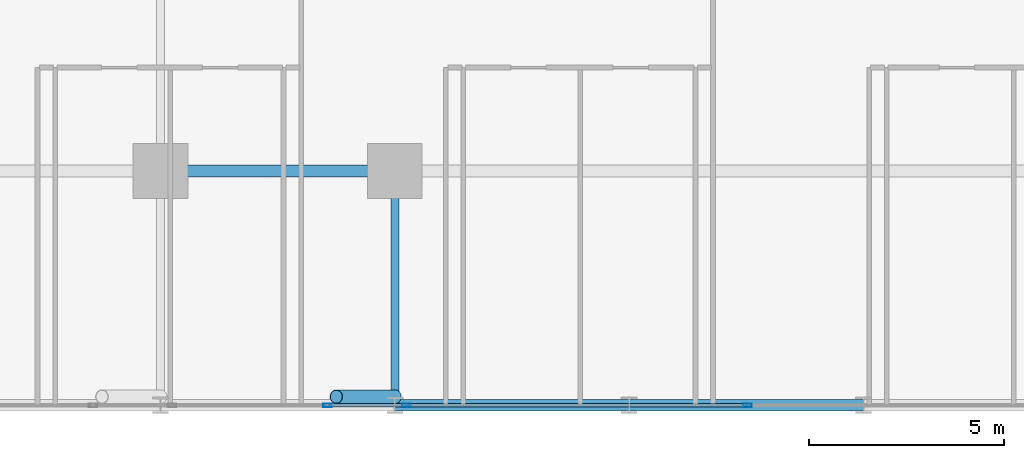
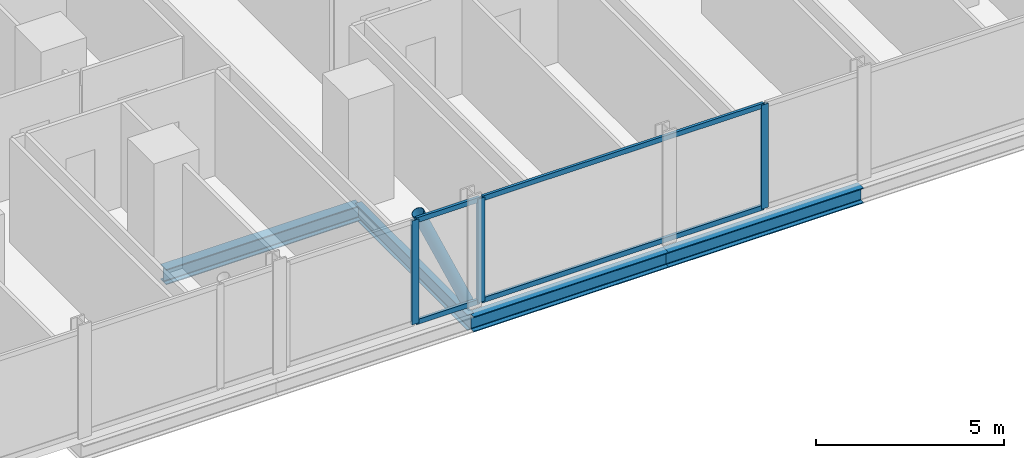
# One storey, part 7 of 33: 8 members, 4 beams, 2 elements without a shape of their own.
"""IFC4 building model written with IfcOpenShell, lengths in metres."""

import ifcopenshell
import ifcopenshell.guid

model = None  # the IFC model being written
_history = None  # IfcOwnerHistory: only IFC2X3 demands one
_inside = {}  # id of a spatial element -> (the spatial element, [elements in it])
_under = {}  # id of a project, library or spatial element -> (it, [spatial elements below it])
_declared = {}  # id of a project -> (the project, [libraries it declares])
_typed = {}  # id of a type object -> (the type object, [elements of that type])
_made_of = {}  # id of a material, layer set ... -> (it, [elements and type objects made of it])


def new_model(schema):
    """Start an empty IFC model of exactly this schema.

    Asked for "IFC4X3", IfcOpenShell would pick the latest addendum, in which some entities
    have other attributes; the version numbers below select the first issue.
    IFC2X3 requires an IfcOwnerHistory on every rooted entity: one is made here for all.
    """
    global model, _history
    if schema == "IFC4X3":
        model = ifcopenshell.file(schema_version=(4, 3, 0, 0))
    else:
        model = ifcopenshell.file(schema=schema)
    _inside.clear()
    _under.clear()
    _declared.clear()
    _typed.clear()
    _made_of.clear()
    _history = None
    if model.schema == "IFC2X3":
        org = make("IfcOrganization", Name="unknown")
        user = make(
            "IfcPersonAndOrganization",
            ThePerson=make("IfcPerson", FamilyName="unknown"),
            TheOrganization=org,
        )
        app = make(
            "IfcApplication",
            ApplicationDeveloper=org,
            Version="unknown",
            ApplicationFullName="unknown",
            ApplicationIdentifier="unknown",
        )
        _history = make(
            "IfcOwnerHistory",
            OwningUser=user,
            OwningApplication=app,
            ChangeAction="ADDED",
            CreationDate=0,
        )
    return model


def make(cls, **values):
    """One entity of the class cls with the attributes given. An attribute that is None is left unset."""
    return model.create_entity(
        cls, **{name: value for name, value in values.items() if value is not None}
    )


def rooted(cls, **values):
    """An entity with a GlobalId (a new one), such as an element, a storey or a relation."""
    return make(cls, GlobalId=ifcopenshell.guid.new(), OwnerHistory=_history, **values)


def si_unit(unit_type, name, prefix=None):
    """IfcSIUnit, for example si_unit("LENGTHUNIT", "METRE", prefix="MILLI")."""
    return make("IfcSIUnit", UnitType=unit_type, Prefix=prefix, Name=name)


def assignment(units):
    """IfcUnitAssignment: the units of a project."""
    return None if units is None else make("IfcUnitAssignment", Units=units)


def point(xyz):
    """IfcCartesianPoint."""
    return None if xyz is None else make("IfcCartesianPoint", Coordinates=xyz)


def direction(xyz):
    """IfcDirection."""
    return None if xyz is None else make("IfcDirection", DirectionRatios=xyz)


def frame(location, z_axis=None, x_axis=None):
    """IfcAxis2Placement3D, a coordinate frame: its origin and axes. An axis left out is left unset."""
    return make(
        "IfcAxis2Placement3D",
        Location=point(location),
        Axis=direction(z_axis),
        RefDirection=direction(x_axis),
    )


def frame_2d(location, x_axis=None):
    """IfcAxis2Placement2D, a coordinate frame in the plane: its origin and x axis."""
    return make(
        "IfcAxis2Placement2D", Location=point(location), RefDirection=direction(x_axis)
    )


def origin():
    """The frame at (0, 0, 0) with its axes left unset."""
    return frame((0.0, 0.0, 0.0))


def origin_2d():
    """The frame at (0, 0) in the plane with its x axis left unset."""
    return frame_2d((0.0, 0.0))


def place(relative_to, where):
    """IfcLocalPlacement: puts the frame where relative to a parent placement (None: the world)."""
    return make(
        "IfcLocalPlacement", PlacementRelTo=relative_to, RelativePlacement=where
    )


def context(
    kind, dimensions, precision=None, world=None, true_north=None, identifier=None
):
    """IfcGeometricRepresentationContext, for example the 3D "Model" context."""
    return make(
        "IfcGeometricRepresentationContext",
        ContextIdentifier=identifier,
        ContextType=kind,
        CoordinateSpaceDimension=dimensions,
        Precision=precision,
        WorldCoordinateSystem=world,
        TrueNorth=true_north,
    )


def subcontext(parent, identifier, kind, view, scale=None):
    """IfcGeometricRepresentationSubContext, for example "Body" below "Model"."""
    return make(
        "IfcGeometricRepresentationSubContext",
        ContextIdentifier=identifier,
        ContextType=kind,
        ParentContext=parent,
        TargetScale=scale,
        TargetView=view,
    )


def project(units=None, contexts=None):
    """IfcProject with its units and contexts."""
    return rooted(
        "IfcProject",
        Name="project",
        RepresentationContexts=contexts,
        UnitsInContext=assignment(units),
    )


def spatial(cls, under=None, at=None, **own):
    """A site, building, storey or space (cls), placed at a placement, below another one or the project."""
    s = rooted(cls, ObjectPlacement=at, **own)
    if under is not None:
        _under.setdefault(under.id(), (under, []))[1].append(s)
    return s


def profile(cls, at=None, kind="AREA", **sizes):
    """A parametric profile (cls). Its sizes go by their IFC names, for example OverallWidth=200.0."""
    return make(cls, ProfileType=kind, Position=at, **sizes)


def hollow_rectangle(**sizes):
    """IfcRectangleHollowProfileDef."""
    return profile("IfcRectangleHollowProfileDef", **sizes)


def hollow_circle(**sizes):
    """IfcCircleHollowProfileDef."""
    return profile("IfcCircleHollowProfileDef", **sizes)


def i_section(**sizes):
    """IfcIShapeProfileDef."""
    return profile("IfcIShapeProfileDef", **sizes)


def extrude(swept, where, along, depth):
    """IfcExtrudedAreaSolid: the profile swept, set in the frame where, extruded along a direction by depth."""
    return make(
        "IfcExtrudedAreaSolid",
        SweptArea=swept,
        Position=where,
        ExtrudedDirection=direction(along),
        Depth=depth,
    )


def shape(context_of_items, identifier, shape_type, items):
    """IfcShapeRepresentation: the items that make up one representation, for example the "Body"."""
    return make(
        "IfcShapeRepresentation",
        ContextOfItems=context_of_items,
        RepresentationIdentifier=identifier,
        RepresentationType=shape_type,
        Items=items,
    )


def material(Name=None, Category=None):
    """IfcMaterial."""
    return make("IfcMaterial", Name=Name, Category=Category)


def layer(
    of_material, thickness, ventilated=None, Name=None, Category=None, Priority=None
):
    """IfcMaterialLayer: one layer of a wall or slab, of a material (None: an air gap)."""
    return make(
        "IfcMaterialLayer",
        Material=of_material,
        LayerThickness=thickness,
        IsVentilated=ventilated,
        Name=Name,
        Category=Category,
        Priority=Priority,
    )


def layer_set(layers, Name=None):
    """IfcMaterialLayerSet."""
    return make("IfcMaterialLayerSet", MaterialLayers=layers, LayerSetName=Name)


def material_profile(
    of_material, cross_section, Name=None, Category=None, Priority=None
):
    """IfcMaterialProfile: a cross section and its material."""
    return make(
        "IfcMaterialProfile",
        Name=Name,
        Material=of_material,
        Profile=cross_section,
        Priority=Priority,
        Category=Category,
    )


def profile_set(profiles, Name=None, composite=None):
    """IfcMaterialProfileSet."""
    return make(
        "IfcMaterialProfileSet",
        Name=Name,
        MaterialProfiles=profiles,
        CompositeProfile=composite,
    )


def made_of(thing, what):
    """Note that an element or type object is made of a material, layer set ...; save() writes the relation."""
    if what is not None:
        _made_of.setdefault(what.id(), (what, []))[1].append(thing)
    return thing


def type_object(cls, material=None, **own):
    """A type object (cls), such as IfcWallType, which elements share."""
    return made_of(rooted(cls, **own), material)


def element(
    cls,
    number,
    at=None,
    inside=None,
    cuts=None,
    type_object=None,
    material=None,
    context=None,
    identifier="Body",
    shape_type=None,
    held_by="IfcProductDefinitionShape",
    body=None,
    shapes=None,
    **own,
):
    """One element of the class cls, such as IfcWall. Its Tag is "e" and its number.

    at: its placement. inside: the storey or other place that contains it. cuts: it is an
    opening in that element (IfcRelVoidsElement). A single representation is given by context,
    identifier, shape_type and body (its items); several are given by shapes. held_by: the class
    of the entity that holds the representations. save() writes the other relations.
    """
    e = rooted(cls, Tag="e%d" % number, ObjectPlacement=at, **own)
    if body is not None:
        shapes = [shape(context, identifier, shape_type, body)]
    if shapes is not None:
        e.Representation = make(held_by, Representations=shapes)
    if inside is not None:
        _inside.setdefault(inside.id(), (inside, []))[1].append(e)
    if cuts is not None:
        rooted(
            "IfcRelVoidsElement", RelatingBuildingElement=cuts, RelatedOpeningElement=e
        )
    if type_object is not None:
        _typed.setdefault(type_object.id(), (type_object, []))[1].append(e)
    return made_of(e, material)


def aggregate(whole, parts):
    """IfcRelAggregates: a whole, such as a stair, and the parts it consists of."""
    return rooted("IfcRelAggregates", RelatingObject=whole, RelatedObjects=parts)


def save(model, path):
    """Write the relations noted so far, then the file.

    IfcRelAggregates (storeys below a building ...), IfcRelContainedInSpatialStructure (elements
    in a storey), IfcRelDefinesByType, IfcRelAssociatesMaterial and IfcRelDeclares: one each for
    every whole, place, type object, material and project.
    """
    for whole, parts in _under.values():
        aggregate(whole, parts)
    for where, things in _inside.values():
        rooted(
            "IfcRelContainedInSpatialStructure",
            RelatedElements=things,
            RelatingStructure=where,
        )
    for kind, things in _typed.values():
        rooted("IfcRelDefinesByType", RelatedObjects=things, RelatingType=kind)
    for what, things in _made_of.values():
        rooted("IfcRelAssociatesMaterial", RelatedObjects=things, RelatingMaterial=what)
    for by, libraries in _declared.values():
        rooted("IfcRelDeclares", RelatingContext=by, RelatedDefinitions=libraries)
    model.write(path)


model = new_model("IFC4")

# Units and contexts
model_context = context("Model", 3, precision=1e-05, world=origin(), true_north=direction((0.0, 1.0)))
body_context = subcontext(model_context, "Body", "Model", "MODEL_VIEW")
ifc_project = project(units=[si_unit("LENGTHUNIT", "METRE"), si_unit("AREAUNIT", "SQUARE_METRE"), si_unit("VOLUMEUNIT", "CUBIC_METRE"), si_unit("PLANEANGLEUNIT", "RADIAN"), si_unit("MASSUNIT", "GRAM", prefix="KILO")], contexts=[model_context])

# Site, building, storey
site_placement = place(None, origin())
site = spatial("IfcSite", under=ifc_project, at=site_placement, CompositionType="ELEMENT")
building_placement = place(site_placement, origin())
building = spatial("IfcBuilding", under=site, at=building_placement, Name="Keshet Zoharim Tower", CompositionType="ELEMENT")
storey_placement = place(building_placement, frame((0.0, 0.0, 42.5)))
storey = spatial("IfcBuildingStorey", under=building, at=storey_placement, Name="L09", CompositionType="ELEMENT", Elevation=42.5)

# Beams
ifc_material_1 = material(Name="Steel S355", Category="steel")
ifc_material_profile_1 = material_profile(ifc_material_1, i_section(OverallWidth=0.199951171875, OverallDepth=0.5, WebThickness=0.01025390625, FlangeThickness=0.01611328125, FilletRadius=0.02099609375, at=origin_2d()), Name="IPE500")
ifc_profile_set_1 = profile_set([ifc_material_profile_1], Name="Steel S355")
beam_type_1 = type_object("IfcBeamType", Name="BM-PRI-IP500", PredefinedType="BEAM", material=ifc_profile_set_1)
beam_placement = place(storey_placement, frame((39.0, 0.699951171875, -0.56494140625), z_axis=(0.0, 1.0, 0.0), x_axis=(-1.0, 0.0, 0.0)))
element("IfcBeam", 1, at=beam_placement, inside=storey, type_object=beam_type_1, Name="L09 Primary Girder Y-012", PredefinedType="BEAM", context=body_context, shape_type="SweptSolid", body=[
    extrude(i_section(OverallWidth=0.199951171875, OverallDepth=0.5, WebThickness=0.01025390625, FlangeThickness=0.01611328125, FilletRadius=0.02099609375, at=origin_2d()), origin(), (0.0, 0.0, 1.0), 6.0),
])
ifc_material_profile_2 = material_profile(ifc_material_1, i_section(OverallWidth=0.300048828125, OverallDepth=0.5, WebThickness=0.014404296875, FlangeThickness=0.028076171875, FilletRadius=0.027099609375, at=origin_2d()), Name="HEB500")
ifc_profile_set_2 = profile_set([ifc_material_profile_2], Name="Steel S355")
beam_type_2 = type_object("IfcBeamType", Name="BM-WEB-HB500", PredefinedType="BEAM", material=ifc_profile_set_2)
for number, where, z_axis, x_axis, name in (
    (2, (39.0, 0.699951171875, -0.56494140625), (1.0, 0.0, 0.0), (0.0, 1.0, 0.0), "L09 Primary Girder X-003"),
    (3, (45.0, 0.699951171875, -0.56494140625), (1.0, 0.0, 0.0), (0.0, 1.0, 0.0), "L09 Primary Girder X-004"),
    (4, (33.0, 6.699951171875, -0.56494140625), (1.0, 0.0, 0.0), (0.0, 1.0, 0.0), "L09 Primary Girder X-008"),
):
    element("IfcBeam", number, at=place(storey_placement, frame(where, z_axis=z_axis, x_axis=x_axis)), inside=storey, type_object=beam_type_2, Name=name, PredefinedType="BEAM", context=body_context, shape_type="SweptSolid", body=[
        extrude(i_section(OverallWidth=0.300048828125, OverallDepth=0.5, WebThickness=0.014404296875, FlangeThickness=0.028076171875, FilletRadius=0.027099609375, at=origin_2d()), origin(), (0.0, 0.0, 1.0), 6.0),
    ])

# Curtain wall, members
ifc_material_2 = material(Name="Aluminium 6063-T6", Category="aluminium")
ifc_layer = layer(ifc_material_2, 0.179931640625)
ifc_layer_set = layer_set([ifc_layer], Name="Aluminium 6063-T6")
curtain_wall_type = type_object("IfcCurtainWallType", Name="CW-SYS-01", PredefinedType="NOTDEFINED", material=ifc_layer_set)
curtain_wall_1_placement = place(storey_placement, origin())
curtain_wall_1 = element("IfcCurtainWall", 5, at=curtain_wall_1_placement, inside=storey, type_object=curtain_wall_type, Name="L09 Unitised Curtain Wall 26", PredefinedType="NOTDEFINED")
ifc_material_profile_3 = material_profile(ifc_material_2, hollow_rectangle(XDim=0.090087890625, YDim=0.219970703125, WallThickness=0.0048828125, at=origin_2d()), Name="MUL-90x220")
ifc_profile_set_3 = profile_set([ifc_material_profile_3], Name="Aluminium 6063-T6")
member_type_1 = type_object("IfcMemberType", Name="CWM-M22", PredefinedType="MULLION", material=ifc_profile_set_3)
member_1_placement = place(storey_placement, frame((48.03271484375, 0.699951171875, 0.0), z_axis=(0.0, 0.0, 1.0), x_axis=(0.0, -1.0, 0.0)))
member_1 = element("IfcMember", 6, at=member_1_placement, type_object=member_type_1, Name="CW-01 mullion 2", PredefinedType="MULLION", context=body_context, shape_type="SweptSolid", body=[
    extrude(hollow_rectangle(XDim=0.090087890625, YDim=0.219970703125, WallThickness=0.0048828125, at=origin_2d()), origin(), (0.0, 0.0, 1.0), 3.385009765625),
])
member_2_placement = place(storey_placement, frame((39.297607421875, 0.699951171875, 0.0), z_axis=(0.0, 0.0, 1.0), x_axis=(0.0, -1.0, 0.0)))
member_2 = element("IfcMember", 7, at=member_2_placement, type_object=member_type_1, Name="CW-01 mullion 3", PredefinedType="MULLION", context=body_context, shape_type="SweptSolid", body=[
    extrude(hollow_rectangle(XDim=0.090087890625, YDim=0.219970703125, WallThickness=0.0048828125, at=origin_2d()), origin(), (0.0, 0.0, 1.0), 3.385009765625),
])

# Curtain wall, member
curtain_wall_2_placement = place(storey_placement, origin())
curtain_wall_2 = element("IfcCurtainWall", 8, at=curtain_wall_2_placement, inside=storey, type_object=curtain_wall_type, Name="L09 Unitised Curtain Wall 26 Part 2", PredefinedType="NOTDEFINED")
member_3_placement = place(storey_placement, frame((37.2724609375, 0.699951171875, 0.0), z_axis=(0.0, 0.0, 1.0), x_axis=(0.0, -1.0, 0.0)))
member_3 = element("IfcMember", 9, at=member_3_placement, type_object=member_type_1, Name="CW-01 mullion 2", PredefinedType="MULLION", context=body_context, shape_type="SweptSolid", body=[
    extrude(hollow_rectangle(XDim=0.090087890625, YDim=0.219970703125, WallThickness=0.0048828125, at=origin_2d()), origin(), (0.0, 0.0, 1.0), 3.385009765625),
])

# Member
ifc_material_profile_4 = material_profile(ifc_material_2, hollow_rectangle(XDim=0.0849609375, YDim=0.159912109375, WallThickness=0.00439453125, at=origin_2d()), Name="TRN-85x160")
ifc_profile_set_4 = profile_set([ifc_material_profile_4], Name="Aluminium 6063-T6")
member_type_2 = type_object("IfcMemberType", Name="CWT-T16", PredefinedType="USERDEFINED", material=ifc_profile_set_4)
member_4_placement = place(storey_placement, frame((47.997802734375, 0.699951171875, 0.034912109375), z_axis=(-1.0, 0.0, 0.0), x_axis=(0.0, -1.0, 0.0)))
member_4 = element("IfcMember", 10, at=member_4_placement, type_object=member_type_2, Name="CW-01 transom 2.1", ObjectType="TRANSOM", PredefinedType="USERDEFINED", context=body_context, shape_type="SweptSolid", body=[
    extrude(hollow_rectangle(XDim=0.0849609375, YDim=0.159912109375, WallThickness=0.00439453125, at=origin_2d()), origin(), (0.0, 0.0, 1.0), 8.665283203125),
])

member_5_placement = place(storey_placement, frame((47.997802734375, 0.699951171875, 3.35009765625), z_axis=(-1.0, 0.0, 0.0), x_axis=(0.0, -1.0, 0.0)))
member_5 = element("IfcMember", 11, at=member_5_placement, type_object=member_type_2, Name="CW-01 transom 2.2", ObjectType="TRANSOM", PredefinedType="USERDEFINED", context=body_context, shape_type="SweptSolid", body=[
    extrude(hollow_rectangle(XDim=0.0849609375, YDim=0.159912109375, WallThickness=0.00439453125, at=origin_2d()), origin(), (0.0, 0.0, 1.0), 8.665283203125),
])

aggregate(curtain_wall_1, [member_1, member_2, member_4, member_5])

member_6_placement = place(storey_placement, frame((39.2626953125, 0.699951171875, 0.034912109375), z_axis=(-1.0, 0.0, 0.0), x_axis=(0.0, -1.0, 0.0)))
member_6 = element("IfcMember", 12, at=member_6_placement, type_object=member_type_2, Name="CW-01 transom 1.1", ObjectType="TRANSOM", PredefinedType="USERDEFINED", context=body_context, shape_type="SweptSolid", body=[
    extrude(hollow_rectangle(XDim=0.0849609375, YDim=0.159912109375, WallThickness=0.00439453125, at=origin_2d()), origin(), (0.0, 0.0, 1.0), 1.955322265625),
])

member_7_placement = place(storey_placement, frame((39.2626953125, 0.699951171875, 3.35009765625), z_axis=(-1.0, 0.0, 0.0), x_axis=(0.0, -1.0, 0.0)))
member_7 = element("IfcMember", 13, at=member_7_placement, type_object=member_type_2, Name="CW-01 transom 1.2", ObjectType="TRANSOM", PredefinedType="USERDEFINED", context=body_context, shape_type="SweptSolid", body=[
    extrude(hollow_rectangle(XDim=0.0849609375, YDim=0.159912109375, WallThickness=0.00439453125, at=origin_2d()), origin(), (0.0, 0.0, 1.0), 1.955322265625),
])

aggregate(curtain_wall_2, [member_3, member_6, member_7])

ifc_material_profile_5 = material_profile(ifc_material_1, hollow_circle(Radius=0.177734375, WallThickness=0.012451171875, at=origin_2d()), Name="CHS355x12.5")
ifc_profile_set_5 = profile_set([ifc_material_profile_5], Name="Steel S355")
member_type_3 = type_object("IfcMemberType", Name="MB-BR-C355", PredefinedType="BRACE", material=ifc_profile_set_5)
member_8_placement = place(storey_placement, frame((39.0, 0.919921875, 0.0), z_axis=(-0.405134846829, 0.0, 0.91425694194), x_axis=(0.0, -1.0, 0.0)))
element("IfcMember", 14, at=member_8_placement, inside=storey, type_object=member_type_3, Name="L09 Perimeter Tube Brace 03", PredefinedType="BRACE", context=body_context, shape_type="SweptSolid", body=[
    extrude(hollow_circle(Radius=0.177734375, WallThickness=0.012451171875, at=origin_2d()), origin(), (0.0, 0.0, 1.0), 3.702392578125),
])

save(model, "model.ifc")
